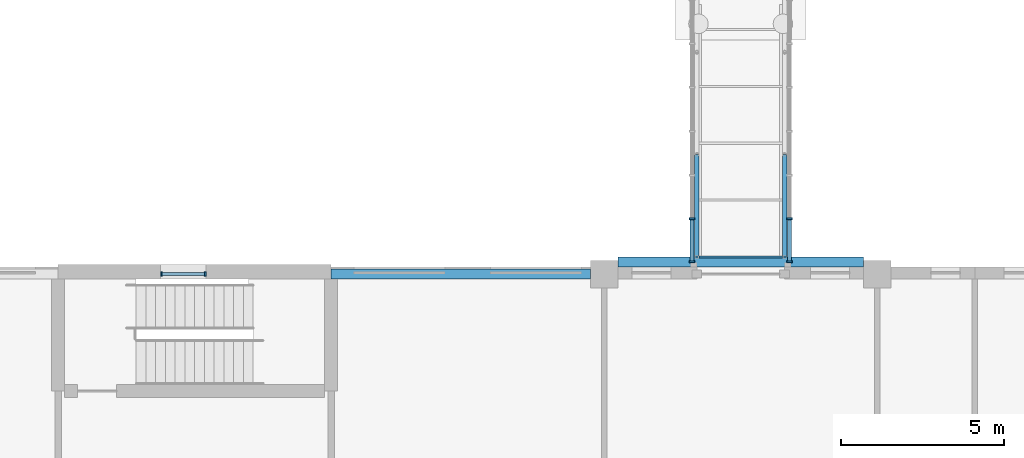
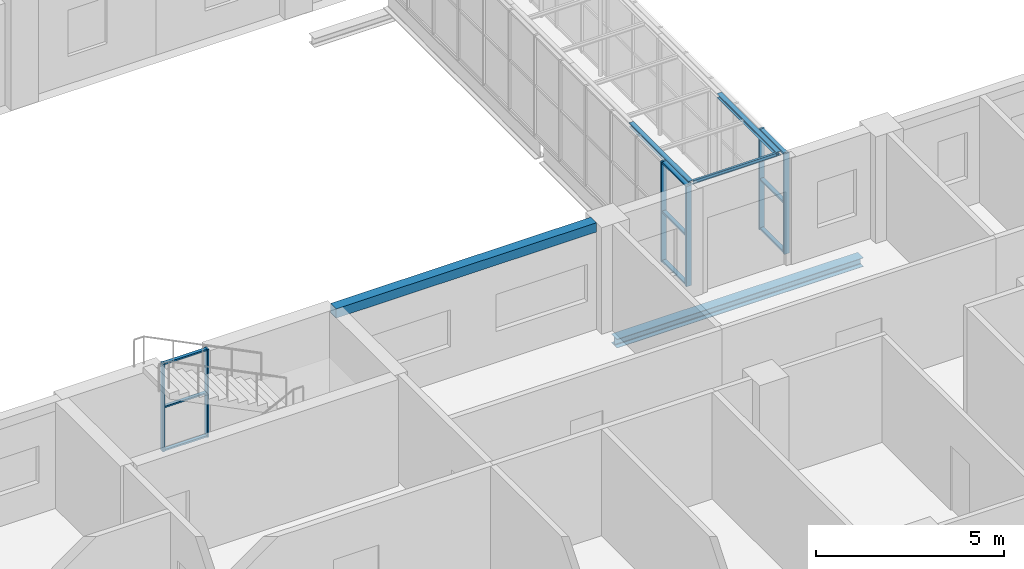
# One storey, part 19 of 94: 15 members, 5 beams, 3 elements without a shape of their own.
"""IFC4 building model written with IfcOpenShell, lengths in metres."""

from ifc_helpers import new_model, si_unit, direction, frame, origin, origin_2d, place, context, subcontext, project, spatial, rectangle, i_section, extrude, material, material_profile, profile_set, type_object, element, aggregate, save


model = new_model("IFC4")

# Units and contexts
model_context = context("Model", 3, precision=1e-05, world=origin(), true_north=direction((0.0, 1.0)))
body_context = subcontext(model_context, "Body", "Model", "MODEL_VIEW")
ifc_project = project(units=[si_unit("LENGTHUNIT", "METRE"), si_unit("AREAUNIT", "SQUARE_METRE"), si_unit("VOLUMEUNIT", "CUBIC_METRE"), si_unit("PLANEANGLEUNIT", "RADIAN"), si_unit("MASSUNIT", "GRAM", prefix="KILO")], contexts=[model_context])

# Site, building, storey
site_placement = place(None, origin())
site = spatial("IfcSite", under=ifc_project, at=site_placement, CompositionType="ELEMENT")
building_placement = place(site_placement, origin())
building = spatial("IfcBuilding", under=site, at=building_placement, Name="Yavir Park General Hospital", CompositionType="ELEMENT")
storey_placement = place(building_placement, frame((0.0, 0.0, 4.5)))
storey = spatial("IfcBuildingStorey", under=building, at=storey_placement, Name="L01", CompositionType="ELEMENT", Elevation=4.5)

# Curtain wall, members
ifc_material_1 = material(Name="Aluminium curtain wall frame with insulated glazing", Category="aluminium")
curtain_wall_type_1 = type_object("IfcCurtainWallType", Name="Bridge enclosure glazing, 3250 high, 1400 module", PredefinedType="NOTDEFINED", material=ifc_material_1)
curtain_wall_1_placement = place(storey_placement, origin())
curtain_wall_1 = element("IfcCurtainWall", 1, at=curtain_wall_1_placement, inside=storey, type_object=curtain_wall_type_1, Name="CW41 L01-024", PredefinedType="NOTDEFINED")
ifc_material_2 = material(Name="Aluminium", Category="aluminium")
ifc_material_profile_1 = material_profile(ifc_material_2, rectangle(XDim=0.159912109375, YDim=0.06005859375, at=origin_2d()), Name="AL 60x160")
ifc_profile_set_1 = profile_set([ifc_material_profile_1], Name="Aluminium")
member_type_1 = type_object("IfcMemberType", Name="Bridge enclosure glazing, 3250 high mullion 60 x 160", PredefinedType="MULLION", material=ifc_profile_set_1)
member_1_placement = place(storey_placement, frame((53.10009765625, 33.97998046875, 0.0), z_axis=(0.0, 0.0, 1.0), x_axis=(-1.0, 0.0, 0.0)))
member_1 = element("IfcMember", 2, at=member_1_placement, type_object=member_type_1, Name="CW41 mullion 1", PredefinedType="MULLION", context=body_context, shape_type="SweptSolid", body=[
    extrude(rectangle(XDim=0.159912109375, YDim=0.06005859375, at=origin_2d()), origin(), (0.0, 0.0, 1.0), 3.25),
])
member_2_placement = place(storey_placement, frame((53.10009765625, 35.2978515625, 0.0), z_axis=(0.0, 0.0, 1.0), x_axis=(-1.0, 0.0, 0.0)))
member_2 = element("IfcMember", 3, at=member_2_placement, type_object=member_type_1, Name="CW41 mullion 2", PredefinedType="MULLION", context=body_context, shape_type="SweptSolid", body=[
    extrude(rectangle(XDim=0.159912109375, YDim=0.06005859375, at=origin_2d()), origin(), (0.0, 0.0, 1.0), 3.25),
])

curtain_wall_2_placement = place(storey_placement, origin())
curtain_wall_2 = element("IfcCurtainWall", 4, at=curtain_wall_2_placement, inside=storey, type_object=curtain_wall_type_1, Name="CW41 L01-025", PredefinedType="NOTDEFINED")
member_3_placement = place(storey_placement, frame((56.10009765625, 33.97998046875, 0.0), z_axis=(0.0, 0.0, 1.0), x_axis=(-1.0, 0.0, 0.0)))
member_3 = element("IfcMember", 5, at=member_3_placement, type_object=member_type_1, Name="CW41 mullion 1", PredefinedType="MULLION", context=body_context, shape_type="SweptSolid", body=[
    extrude(rectangle(XDim=0.159912109375, YDim=0.06005859375, at=origin_2d()), origin(), (0.0, 0.0, 1.0), 3.25),
])
member_4_placement = place(storey_placement, frame((56.10009765625, 35.2978515625, 0.0), z_axis=(0.0, 0.0, 1.0), x_axis=(-1.0, 0.0, 0.0)))
member_4 = element("IfcMember", 6, at=member_4_placement, type_object=member_type_1, Name="CW41 mullion 2", PredefinedType="MULLION", context=body_context, shape_type="SweptSolid", body=[
    extrude(rectangle(XDim=0.159912109375, YDim=0.06005859375, at=origin_2d()), origin(), (0.0, 0.0, 1.0), 3.25),
])

# Member
ifc_material_3 = material(Name="Aluminium", Category="aluminium")
ifc_material_profile_2 = material_profile(ifc_material_3, rectangle(XDim=0.1201171875, YDim=0.06005859375, at=origin_2d()), Name="AL 120x60")
ifc_profile_set_2 = profile_set([ifc_material_profile_2], Name="Aluminium")
member_type_2 = type_object("IfcMemberType", Name="Bridge enclosure glazing, 3250 high transom 60 x 120", PredefinedType="MULLION", material=ifc_profile_set_2)
member_5_placement = place(storey_placement, frame((53.10009765625, 34.010009765625, 0.030029296875), z_axis=(0.0, 1.0, 0.0), x_axis=(-1.0, 0.0, 0.0)))
member_5 = element("IfcMember", 7, at=member_5_placement, type_object=member_type_2, Name="CW41 transom 1.1", PredefinedType="MULLION", context=body_context, shape_type="SweptSolid", body=[
    extrude(rectangle(XDim=0.1201171875, YDim=0.06005859375, at=origin_2d()), origin(), (0.0, 0.0, 1.0), 1.2578125),
])

member_6_placement = place(storey_placement, frame((53.10009765625, 34.010009765625, 1.625), z_axis=(0.0, 1.0, 0.0), x_axis=(-1.0, 0.0, 0.0)))
member_6 = element("IfcMember", 8, at=member_6_placement, type_object=member_type_2, Name="CW41 transom 1.2", PredefinedType="MULLION", context=body_context, shape_type="SweptSolid", body=[
    extrude(rectangle(XDim=0.1201171875, YDim=0.06005859375, at=origin_2d()), origin(), (0.0, 0.0, 1.0), 1.2578125),
])

member_7_placement = place(storey_placement, frame((53.10009765625, 34.010009765625, 3.219970703125), z_axis=(0.0, 1.0, 0.0), x_axis=(-1.0, 0.0, 0.0)))
member_7 = element("IfcMember", 9, at=member_7_placement, type_object=member_type_2, Name="CW41 transom 1.3", PredefinedType="MULLION", context=body_context, shape_type="SweptSolid", body=[
    extrude(rectangle(XDim=0.1201171875, YDim=0.06005859375, at=origin_2d()), origin(), (0.0, 0.0, 1.0), 1.2578125),
])

aggregate(curtain_wall_1, [member_1, member_2, member_5, member_6, member_7])

member_8_placement = place(storey_placement, frame((56.10009765625, 34.010009765625, 0.030029296875), z_axis=(0.0, 1.0, 0.0), x_axis=(-1.0, 0.0, 0.0)))
member_8 = element("IfcMember", 10, at=member_8_placement, type_object=member_type_2, Name="CW41 transom 1.1", PredefinedType="MULLION", context=body_context, shape_type="SweptSolid", body=[
    extrude(rectangle(XDim=0.1201171875, YDim=0.06005859375, at=origin_2d()), origin(), (0.0, 0.0, 1.0), 1.2578125),
])

member_9_placement = place(storey_placement, frame((56.10009765625, 34.010009765625, 1.625), z_axis=(0.0, 1.0, 0.0), x_axis=(-1.0, 0.0, 0.0)))
member_9 = element("IfcMember", 11, at=member_9_placement, type_object=member_type_2, Name="CW41 transom 1.2", PredefinedType="MULLION", context=body_context, shape_type="SweptSolid", body=[
    extrude(rectangle(XDim=0.1201171875, YDim=0.06005859375, at=origin_2d()), origin(), (0.0, 0.0, 1.0), 1.2578125),
])

member_10_placement = place(storey_placement, frame((56.10009765625, 34.010009765625, 3.219970703125), z_axis=(0.0, 1.0, 0.0), x_axis=(-1.0, 0.0, 0.0)))
member_10 = element("IfcMember", 12, at=member_10_placement, type_object=member_type_2, Name="CW41 transom 1.3", PredefinedType="MULLION", context=body_context, shape_type="SweptSolid", body=[
    extrude(rectangle(XDim=0.1201171875, YDim=0.06005859375, at=origin_2d()), origin(), (0.0, 0.0, 1.0), 1.2578125),
])

aggregate(curtain_wall_2, [member_3, member_4, member_8, member_9, member_10])

# Beams
ifc_material_4 = material(Name="Steel S355", Category="steel")
ifc_material_profile_3 = material_profile(ifc_material_4, i_section(OverallWidth=0.139892578125, OverallDepth=0.133056640625, WebThickness=0.005615234375, FlangeThickness=0.008544921875, FilletRadius=0.011962890625, at=origin_2d()), Name="HEA140")
ifc_profile_set_3 = profile_set([ifc_material_profile_3], Name="Steel S355")
beam_type_1 = type_object("IfcBeamType", Name="HEA 140 roof edge beam", PredefinedType="BEAM", material=ifc_profile_set_3)
for number, where, z_axis, x_axis, name in (
    (13, (53.25, 34.125, 3.18359375), (0.0, 1.0, 0.0), (-1.0, 0.0, 0.0), "RF:BRS:frame:E:00"),
    (14, (55.949951171875, 34.125, 3.18359375), (0.0, 1.0, 0.0), (-1.0, 0.0, 0.0), "RF:BRS:frame:E:10"),
):
    element("IfcBeam", number, at=place(storey_placement, frame(where, z_axis=z_axis, x_axis=x_axis)), inside=storey, type_object=beam_type_1, Name=name, PredefinedType="BEAM", context=body_context, shape_type="SweptSolid", body=[
        extrude(i_section(OverallWidth=0.139892578125, OverallDepth=0.133056640625, WebThickness=0.005615234375, FlangeThickness=0.008544921875, FilletRadius=0.011962890625, at=origin_2d()), origin(), (0.0, 0.0, 1.0), 3.14990234375),
    ])
ifc_material_5 = material(Name="Steel S355", Category="steel")
ifc_material_profile_4 = material_profile(ifc_material_5, i_section(OverallWidth=0.300048828125, OverallDepth=0.2900390625, WebThickness=0.008544921875, FlangeThickness=0.013916015625, FilletRadius=0.027099609375, at=origin_2d()), Name="HEA300")
ifc_profile_set_4 = profile_set([ifc_material_profile_4], Name="Steel S355")
beam_type_2 = type_object("IfcBeamType", Name="HEA 300 bridge head beam", PredefinedType="BEAM", material=ifc_profile_set_4)
beam_1_placement = place(storey_placement, frame((50.824951171875, 33.97509765625, -0.9951171875), z_axis=(1.0, 0.0, 0.0), x_axis=(0.0, 1.0, 0.0)))
element("IfcBeam", 15, at=beam_1_placement, inside=storey, type_object=beam_type_2, Name="B:BR_S:H0", PredefinedType="BEAM", context=body_context, shape_type="SweptSolid", body=[
    extrude(i_section(OverallWidth=0.300048828125, OverallDepth=0.2900390625, WebThickness=0.008544921875, FlangeThickness=0.013916015625, FilletRadius=0.027099609375, at=origin_2d()), origin(), (0.0, 0.0, 1.0), 7.550048828125),
])
ifc_material_6 = material(Name="Steel S355", Category="steel")
ifc_material_profile_5 = material_profile(ifc_material_6, i_section(OverallWidth=0.06396484375, OverallDepth=0.1201171875, WebThickness=0.00439453125, FlangeThickness=0.00634765625, FilletRadius=0.007080078125, at=origin_2d()), Name="IPE120")
ifc_profile_set_5 = profile_set([ifc_material_profile_5], Name="Steel S355")
beam_type_3 = type_object("IfcBeamType", Name="IPE 120 roof cross beam", PredefinedType="JOIST", material=ifc_profile_set_5)
beam_2_placement = place(storey_placement, frame((53.320068359375, 34.125, 3.18994140625), z_axis=(1.0, 0.0, 0.0), x_axis=(0.0, 1.0, 0.0)))
element("IfcBeam", 16, at=beam_2_placement, inside=storey, type_object=beam_type_3, Name="RF:BRS:frame:C:0", PredefinedType="JOIST", context=body_context, shape_type="SweptSolid", body=[
    extrude(i_section(OverallWidth=0.06396484375, OverallDepth=0.1201171875, WebThickness=0.00439453125, FlangeThickness=0.00634765625, FilletRadius=0.007080078125, at=origin_2d()), origin(), (0.0, 0.0, 1.0), 2.559814453125),
])
ifc_material_7 = material(Name="Concrete C35/45", Category="concrete")
ifc_material_profile_6 = material_profile(ifc_material_7, rectangle(XDim=0.300048828125, YDim=0.300048828125, at=origin_2d()), Name="RC300x300")
ifc_profile_set_6 = profile_set([ifc_material_profile_6], Name="Concrete C35/45")
beam_type_4 = type_object("IfcBeamType", Name="RC BEAM 300x300 edge beam", PredefinedType="BEAM", material=ifc_profile_set_6)
beam_3_placement = place(storey_placement, frame((42.0, 33.60009765625, 3.300048828125), z_axis=(1.0, 0.0, 0.0), x_axis=(0.0, 1.0, 0.0)))
element("IfcBeam", 17, at=beam_3_placement, inside=storey, type_object=beam_type_4, Name="B:EDGE:L01:018", PredefinedType="BEAM", context=body_context, shape_type="SweptSolid", body=[
    extrude(rectangle(XDim=0.300048828125, YDim=0.300048828125, at=origin_2d()), origin(), (0.0, 0.0, 1.0), 7.97509765625),
])

# Curtain wall, members
ifc_material_8 = material(Name="Aluminium curtain wall frame with insulated glazing", Category="aluminium")
curtain_wall_type_2 = type_object("IfcCurtainWallType", Name="Stair light slot, podium, 2850 high, 1400 module", PredefinedType="NOTDEFINED", material=ifc_material_8)
curtain_wall_3_placement = place(storey_placement, origin())
curtain_wall_3 = element("IfcCurtainWall", 18, at=curtain_wall_3_placement, inside=storey, type_object=curtain_wall_type_2, Name="CW9 L01-005", PredefinedType="NOTDEFINED")
ifc_material_9 = material(Name="Aluminium", Category="aluminium")
ifc_material_profile_7 = material_profile(ifc_material_9, rectangle(XDim=0.139892578125, YDim=0.050048828125, at=origin_2d()), Name="AL 50x140")
ifc_profile_set_7 = profile_set([ifc_material_profile_7], Name="Aluminium")
member_type_3 = type_object("IfcMemberType", Name="Stair light slot, podium, 2850 high mullion 50 x 140", PredefinedType="MULLION", material=ifc_profile_set_7)
member_11_placement = place(storey_placement, frame((36.77490234375, 33.60009765625, 0.60009765625), z_axis=(0.0, 0.0, 1.0), x_axis=(0.0, 1.0, 0.0)))
member_11 = element("IfcMember", 19, at=member_11_placement, type_object=member_type_3, Name="CW9 mullion 1", PredefinedType="MULLION", context=body_context, shape_type="SweptSolid", body=[
    extrude(rectangle(XDim=0.139892578125, YDim=0.050048828125, at=origin_2d()), origin(), (0.0, 0.0, 1.0), 2.849853515625),
])
member_12_placement = place(storey_placement, frame((38.125, 33.60009765625, 0.60009765625), z_axis=(0.0, 0.0, 1.0), x_axis=(0.0, 1.0, 0.0)))
member_12 = element("IfcMember", 20, at=member_12_placement, type_object=member_type_3, Name="CW9 mullion 2", PredefinedType="MULLION", context=body_context, shape_type="SweptSolid", body=[
    extrude(rectangle(XDim=0.139892578125, YDim=0.050048828125, at=origin_2d()), origin(), (0.0, 0.0, 1.0), 2.849853515625),
])
ifc_material_10 = material(Name="Aluminium", Category="aluminium")
ifc_material_profile_8 = material_profile(ifc_material_10, rectangle(XDim=0.10009765625, YDim=0.050048828125, at=origin_2d()), Name="AL 100x50")
ifc_profile_set_8 = profile_set([ifc_material_profile_8], Name="Aluminium")
member_type_4 = type_object("IfcMemberType", Name="Stair light slot, podium, 2850 high transom 50 x 100", PredefinedType="MULLION", material=ifc_profile_set_8)
member_13_placement = place(storey_placement, frame((36.800048828125, 33.60009765625, 0.625), z_axis=(1.0, 0.0, 0.0), x_axis=(0.0, 1.0, 0.0)))
member_13 = element("IfcMember", 21, at=member_13_placement, type_object=member_type_4, Name="CW9 transom 1.1", PredefinedType="MULLION", context=body_context, shape_type="SweptSolid", body=[
    extrude(rectangle(XDim=0.10009765625, YDim=0.050048828125, at=origin_2d()), origin(), (0.0, 0.0, 1.0), 1.300048828125),
])
member_14_placement = place(storey_placement, frame((36.800048828125, 33.60009765625, 2.02490234375), z_axis=(1.0, 0.0, 0.0), x_axis=(0.0, 1.0, 0.0)))
member_14 = element("IfcMember", 22, at=member_14_placement, type_object=member_type_4, Name="CW9 transom 1.2", PredefinedType="MULLION", context=body_context, shape_type="SweptSolid", body=[
    extrude(rectangle(XDim=0.10009765625, YDim=0.050048828125, at=origin_2d()), origin(), (0.0, 0.0, 1.0), 1.300048828125),
])
member_15_placement = place(storey_placement, frame((36.800048828125, 33.60009765625, 3.425048828125), z_axis=(1.0, 0.0, 0.0), x_axis=(0.0, 1.0, 0.0)))
member_15 = element("IfcMember", 23, at=member_15_placement, type_object=member_type_4, Name="CW9 transom 1.3", PredefinedType="MULLION", context=body_context, shape_type="SweptSolid", body=[
    extrude(rectangle(XDim=0.10009765625, YDim=0.050048828125, at=origin_2d()), origin(), (0.0, 0.0, 1.0), 1.300048828125),
])
aggregate(curtain_wall_3, [member_11, member_12, member_13, member_14, member_15])

save(model, "model.ifc")
